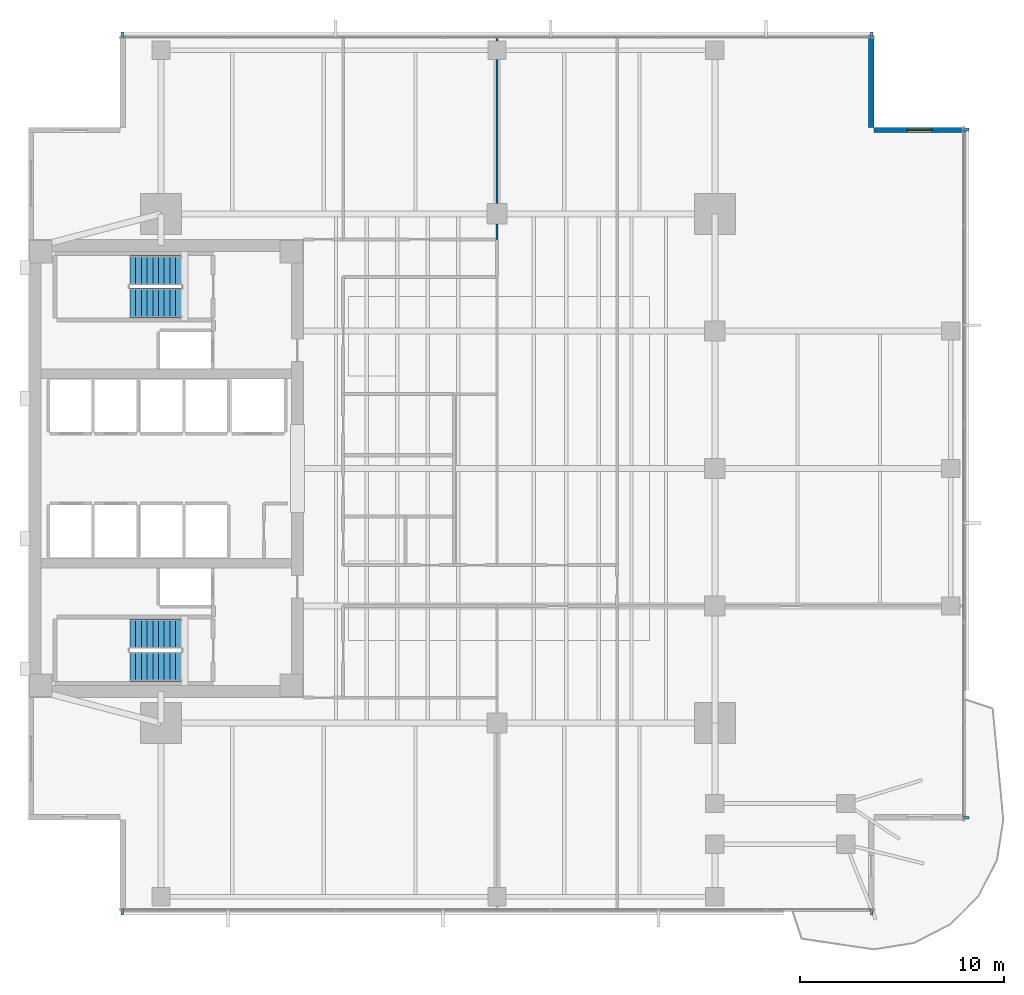
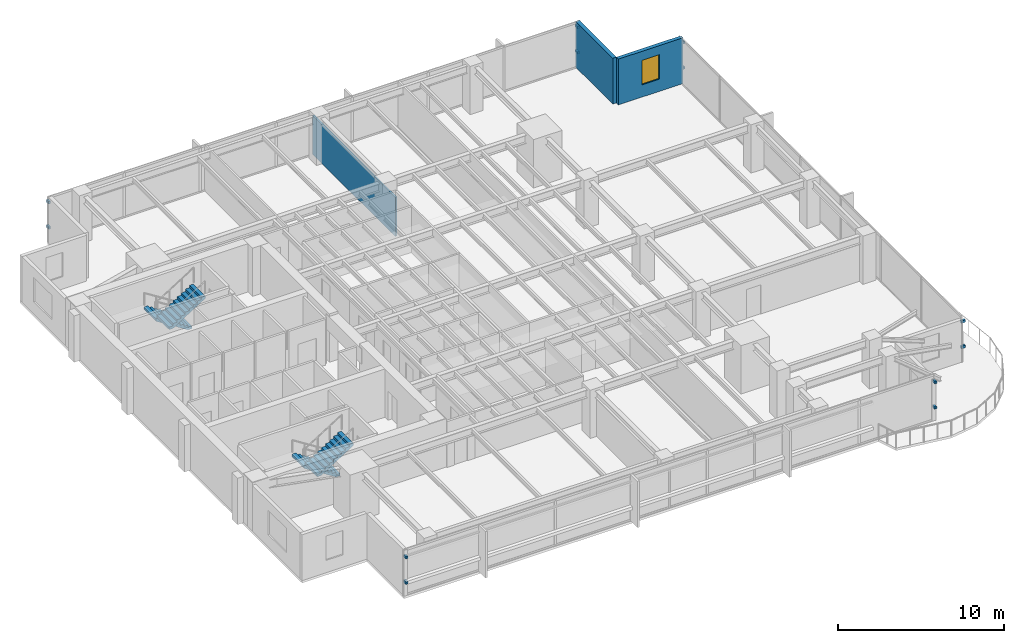
# One storey, part 10 of 14: 12 discrete accessories, 4 stair flights, 3 walls, 1 window, 1 opening, 2 elements without a shape of their own.
"""IFC4 building model written with IfcOpenShell, lengths in metres."""

from ifc_helpers import new_model, si_unit, direction, frame, frame_2d, origin, origin_2d, place, context, subcontext, project, spatial, polyline, rectangle, outline, extrude, material, layer, layer_set, type_object, element, fill, aggregate, save


model = new_model("IFC4")

# Units and contexts
model_context = context("Model", 3, precision=1e-05, world=origin(), true_north=direction((0.0, 1.0)))
body_context = subcontext(model_context, "Body", "Model", "MODEL_VIEW")
ifc_project = project(units=[si_unit("LENGTHUNIT", "METRE"), si_unit("AREAUNIT", "SQUARE_METRE"), si_unit("VOLUMEUNIT", "CUBIC_METRE"), si_unit("PLANEANGLEUNIT", "RADIAN"), si_unit("MASSUNIT", "GRAM", prefix="KILO")], contexts=[model_context])

# Site, building, storey
site_placement = place(None, origin())
site = spatial("IfcSite", under=ifc_project, at=site_placement, CompositionType="ELEMENT")
building_placement = place(site_placement, origin())
building = spatial("IfcBuilding", under=site, at=building_placement, Name="Kinhvarn Gate Tower", CompositionType="ELEMENT")
storey_placement = place(building_placement, frame((0.0, 0.0, 144.85009765625)))
storey = spatial("IfcBuildingStorey", under=building, at=storey_placement, Name="L38", CompositionType="ELEMENT", Elevation=144.85009765625)

# Wall, opening, window
ifc_material_1 = material(Name="Fired architectural terracotta", Category="masonry")
ifc_layer_1 = layer(ifc_material_1, 0.25)
ifc_layer_set_1 = layer_set([ifc_layer_1], Name="Fired architectural terracotta")
wall_type_1 = type_object("IfcWallType", Name="WL-EXT-250", PredefinedType="SOLIDWALL", material=ifc_layer_set_1)
wall_1_placement = place(storey_placement, frame((50.5, 41.875, 0.0), z_axis=(0.0, 0.0, 1.0), x_axis=(-1.0, 0.0, 0.0)))
wall_1 = element("IfcWall", 1, at=wall_1_placement, inside=storey, type_object=wall_type_1, Name="Exterior Solidwall Wall EW-250 (L38 NE-Notch-1)", PredefinedType="SOLIDWALL", context=body_context, shape_type="SweptSolid", body=[
    extrude(rectangle(XDim=4.5, YDim=0.25, at=frame_2d((2.25, 0.0))), origin(), (0.0, 0.0, 1.0), 3.369873046875),
])
opening_placement = place(wall_1_placement, frame((1.64990234375, 0.0, 0.89990234375)))
opening = element("IfcOpeningElement", 2, at=opening_placement, cuts=wall_1, Name="Opening WN-02", PredefinedType="OPENING", context=body_context, shape_type="SweptSolid", body=[
    extrude(rectangle(XDim=1.199951171875, YDim=1.800048828125, at=frame_2d((0.60009765625, 0.89990234375))), frame((0.0, 0.135009765625, 0.0), z_axis=(0.0, -1.0, 0.0), x_axis=(1.0, 0.0, 0.0)), (0.0, 0.0, 1.0), 0.27001953125),
])
ifc_material_2 = material(Name="Clear low-e double glazing", Category="glass")
window_type = type_object("IfcWindowType", Name="WIN-NTC-1200", PartitioningType="SINGLE_PANEL", PredefinedType="WINDOW", material=ifc_material_2)
window_placement = place(opening_placement, origin())
window = element("IfcWindow", 3, at=window_placement, inside=storey, type_object=window_type, Name="Recessed Corner Notch Punched Window 1200x1800 mm (L38)", OverallHeight=1.800048828125, OverallWidth=1.199951171875, PartitioningType="SINGLE_PANEL", PredefinedType="WINDOW", context=body_context, shape_type="SweptSolid", body=[
    extrude(rectangle(XDim=1.199951171875, YDim=1.800048828125, at=frame_2d((0.60009765625, 0.89990234375))), frame((0.0, 0.030029296875, 0.0), z_axis=(0.0, -1.0, 0.0), x_axis=(1.0, 0.0, 0.0)), (0.0, 0.0, 1.0), 0.06005859375),
])
fill(opening, window)

# Walls
wall_2_placement = place(storey_placement, frame((45.875, 42.0, 0.0), z_axis=(0.0, 0.0, 1.0), x_axis=(0.0, 1.0, 0.0)))
element("IfcWall", 4, at=wall_2_placement, inside=storey, type_object=wall_type_1, Name="Exterior Solidwall Wall EW-250 (L38 NE-Notch-2)", PredefinedType="SOLIDWALL", context=body_context, shape_type="SweptSolid", body=[
    extrude(rectangle(XDim=4.5, YDim=0.25, at=frame_2d((2.25, 0.0))), origin(), (0.0, 0.0, 1.0), 3.369873046875),
])
ifc_material_3 = material(Name="Gypsum acoustic partition board")
ifc_layer_2 = layer(ifc_material_3, 0.1201171875)
ifc_layer_set_2 = layer_set([ifc_layer_2], Name="Gypsum acoustic partition board")
wall_type_2 = type_object("IfcWallType", Name="WL-PRT-120", PredefinedType="PARTITIONING", material=ifc_layer_set_2)
wall_3_placement = place(storey_placement, frame((27.5, 36.5, 0.0), z_axis=(0.0, 0.0, 1.0), x_axis=(0.0, 1.0, 0.0)))
element("IfcWall", 5, at=wall_3_placement, inside=storey, type_object=wall_type_2, Name="Interior Partition PW-120 (L38)", PredefinedType="PARTITIONING", context=body_context, shape_type="SweptSolid", body=[
    extrude(rectangle(XDim=9.989990234375, YDim=0.1201171875, at=frame_2d((4.9951171875, 0.0))), origin(), (0.0, 0.0, 1.0), 2.869873046875),
])

# Stair, stair flights
ifc_material_4 = material(Name="Concrete C40/50", Category="concrete")
stair_type = type_object("IfcStairType", Name="STR-DLG-178", PredefinedType="HALF_TURN_STAIR", material=ifc_material_4)
stair_1_placement = place(storey_placement, origin())
stair_1 = element("IfcStair", 6, at=stair_1_placement, inside=storey, type_object=stair_type, Name="L38 Core Smokeproof Exit Stair ST1", PredefinedType="HALF_TURN_STAIR")
stair_flight_type = type_object("IfcStairFlightType", Name="STF-DLG-178", PredefinedType="STRAIGHT", material=ifc_material_4)
stair_flight_1_placement = place(storey_placement, frame((12.0, 17.125, 0.0), z_axis=(0.0, 0.0, 1.0), x_axis=(-1.0, 0.0, 0.0)))
stair_flight_1 = element("IfcStairFlight", 7, at=stair_flight_1_placement, type_object=stair_flight_type, Name="ST1 flight 1", NumberOfRisers=10, NumberOfTreads=9, PredefinedType="STRAIGHT", RiserHeight=0.1775, TreadLength=0.28, context=body_context, shape_type="SweptSolid", body=[
    extrude(outline(polyline([(0.0, 0.0), (0.0, 0.177490234375), (0.280029296875, 0.177490234375), (0.280029296875, 0.35498046875), (0.56005859375, 0.35498046875), (0.56005859375, 0.532470703125), (0.840087890625, 0.532470703125), (0.840087890625, 0.7099609375), (1.1201171875, 0.7099609375), (1.1201171875, 0.887451171875), (1.39990234375, 0.887451171875), (1.39990234375, 1.06494140625), (1.679931640625, 1.06494140625), (1.679931640625, 1.242431640625), (1.9599609375, 1.242431640625), (1.9599609375, 1.419921875), (2.239990234375, 1.419921875), (2.239990234375, 1.597412109375), (2.52001953125, 1.597412109375), (2.52001953125, 1.77490234375), (2.52001953125, 1.419921875), (0.280029296875, 0.0), (0.0, 0.0)])), frame((0.0, 0.72509765625, 0.0), z_axis=(0.0, -1.0, 0.0), x_axis=(1.0, 0.0, 0.0)), (0.0, 0.0, 1.0), 1.449951171875),
])
stair_flight_2_placement = place(storey_placement, frame((9.47998046875, 15.52490234375, 1.77490234375), z_axis=(0.0, 0.0, 1.0), x_axis=(1.0, 0.0, 0.0)))
stair_flight_2 = element("IfcStairFlight", 8, at=stair_flight_2_placement, type_object=stair_flight_type, Name="ST1 flight 2", NumberOfRisers=10, NumberOfTreads=9, PredefinedType="STRAIGHT", RiserHeight=0.1775, TreadLength=0.28, context=body_context, shape_type="SweptSolid", body=[
    extrude(outline(polyline([(0.0, 0.0), (0.0, 0.177490234375), (0.280029296875, 0.177490234375), (0.280029296875, 0.35498046875), (0.56005859375, 0.35498046875), (0.56005859375, 0.532470703125), (0.840087890625, 0.532470703125), (0.840087890625, 0.7099609375), (1.1201171875, 0.7099609375), (1.1201171875, 0.887451171875), (1.39990234375, 0.887451171875), (1.39990234375, 1.06494140625), (1.679931640625, 1.06494140625), (1.679931640625, 1.242431640625), (1.9599609375, 1.242431640625), (1.9599609375, 1.419921875), (2.239990234375, 1.419921875), (2.239990234375, 1.597412109375), (2.52001953125, 1.597412109375), (2.52001953125, 1.77490234375), (2.52001953125, 1.419921875), (0.280029296875, 0.0), (0.0, 0.0)])), frame((0.0, 0.72509765625, 0.0), z_axis=(0.0, -1.0, 0.0), x_axis=(1.0, 0.0, 0.0)), (0.0, 0.0, 1.0), 1.449951171875),
])
aggregate(stair_1, [stair_flight_1, stair_flight_2])

stair_2_placement = place(storey_placement, origin())
stair_2 = element("IfcStair", 9, at=stair_2_placement, inside=storey, type_object=stair_type, Name="L38 Core Smokeproof Exit Stair ST2", PredefinedType="HALF_TURN_STAIR")
stair_flight_3_placement = place(storey_placement, frame((12.0, 34.97509765625, 0.0), z_axis=(0.0, 0.0, 1.0), x_axis=(-1.0, 0.0, 0.0)))
stair_flight_3 = element("IfcStairFlight", 10, at=stair_flight_3_placement, type_object=stair_flight_type, Name="ST2 flight 1", NumberOfRisers=10, NumberOfTreads=9, PredefinedType="STRAIGHT", RiserHeight=0.1775, TreadLength=0.28, context=body_context, shape_type="SweptSolid", body=[
    extrude(outline(polyline([(0.0, 0.0), (0.0, 0.177490234375), (0.280029296875, 0.177490234375), (0.280029296875, 0.35498046875), (0.56005859375, 0.35498046875), (0.56005859375, 0.532470703125), (0.840087890625, 0.532470703125), (0.840087890625, 0.7099609375), (1.1201171875, 0.7099609375), (1.1201171875, 0.887451171875), (1.39990234375, 0.887451171875), (1.39990234375, 1.06494140625), (1.679931640625, 1.06494140625), (1.679931640625, 1.242431640625), (1.9599609375, 1.242431640625), (1.9599609375, 1.419921875), (2.239990234375, 1.419921875), (2.239990234375, 1.597412109375), (2.52001953125, 1.597412109375), (2.52001953125, 1.77490234375), (2.52001953125, 1.419921875), (0.280029296875, 0.0), (0.0, 0.0)])), frame((0.0, 0.72509765625, 0.0), z_axis=(0.0, -1.0, 0.0), x_axis=(1.0, 0.0, 0.0)), (0.0, 0.0, 1.0), 1.449951171875),
])
stair_flight_4_placement = place(storey_placement, frame((9.47998046875, 33.375, 1.77490234375), z_axis=(0.0, 0.0, 1.0), x_axis=(1.0, 0.0, 0.0)))
stair_flight_4 = element("IfcStairFlight", 11, at=stair_flight_4_placement, type_object=stair_flight_type, Name="ST2 flight 2", NumberOfRisers=10, NumberOfTreads=9, PredefinedType="STRAIGHT", RiserHeight=0.1775, TreadLength=0.28, context=body_context, shape_type="SweptSolid", body=[
    extrude(outline(polyline([(0.0, 0.0), (0.0, 0.177490234375), (0.280029296875, 0.177490234375), (0.280029296875, 0.35498046875), (0.56005859375, 0.35498046875), (0.56005859375, 0.532470703125), (0.840087890625, 0.532470703125), (0.840087890625, 0.7099609375), (1.1201171875, 0.7099609375), (1.1201171875, 0.887451171875), (1.39990234375, 0.887451171875), (1.39990234375, 1.06494140625), (1.679931640625, 1.06494140625), (1.679931640625, 1.242431640625), (1.9599609375, 1.242431640625), (1.9599609375, 1.419921875), (2.239990234375, 1.419921875), (2.239990234375, 1.597412109375), (2.52001953125, 1.597412109375), (2.52001953125, 1.77490234375), (2.52001953125, 1.419921875), (0.280029296875, 0.0), (0.0, 0.0)])), frame((0.0, 0.72509765625, 0.0), z_axis=(0.0, -1.0, 0.0), x_axis=(1.0, 0.0, 0.0)), (0.0, 0.0, 1.0), 1.449951171875),
])
aggregate(stair_2, [stair_flight_3, stair_flight_4])

# Discrete accessories
ifc_material_5 = material(Name="Anodised aluminium AW-6063", Category="aluminium")
discrete_accessory_type = type_object("IfcDiscreteAccessoryType", Name="ACC-BRK-01", PredefinedType="BRACKET", material=ifc_material_5)
for number, where, z_axis, x_axis, name in (
    (12, (9.10009765625, 3.469970703125, 0.9599609375), (0.0, 0.0, 1.0), (1.0, 0.0, 0.0), "Baguette Support Bracket BK-01 (L38)"),
    (13, (9.10009765625, 3.469970703125, 2.830078125), (0.0, 0.0, 1.0), (1.0, 0.0, 0.0), "Baguette Support Bracket BK-01 (L38)"),
    (14, (45.89990234375, 3.469970703125, 0.9599609375), (0.0, 0.0, 1.0), (1.0, 0.0, 0.0), "Baguette Support Bracket BK-01 (L38)"),
    (15, (45.89990234375, 3.469970703125, 2.830078125), (0.0, 0.0, 1.0), (1.0, 0.0, 0.0), "Baguette Support Bracket BK-01 (L38)"),
    (16, (45.89990234375, 46.530029296875, 0.9599609375), (0.0, 0.0, 1.0), (-1.0, 0.0, 0.0), "Baguette Support Bracket BK-01 (L38)"),
    (17, (45.89990234375, 46.530029296875, 2.830078125), (0.0, 0.0, 1.0), (-1.0, 0.0, 0.0), "Baguette Support Bracket BK-01 (L38)"),
    (18, (9.10009765625, 46.530029296875, 0.9599609375), (0.0, 0.0, 1.0), (-1.0, 0.0, 0.0), "Baguette Support Bracket BK-01 (L38)"),
    (19, (9.10009765625, 46.530029296875, 2.830078125), (0.0, 0.0, 1.0), (-1.0, 0.0, 0.0), "Baguette Support Bracket BK-01 (L38)"),
    (20, (50.530029296875, 8.10009765625, 0.9599609375), (0.0, 0.0, 1.0), (0.0, 1.0, 0.0), "Baguette Support Bracket BK-01 (L38)"),
    (21, (50.530029296875, 8.10009765625, 2.830078125), (0.0, 0.0, 1.0), (0.0, 1.0, 0.0), "Baguette Support Bracket BK-01 (L38)"),
    (22, (50.530029296875, 41.89990234375, 0.9599609375), (0.0, 0.0, 1.0), (0.0, 1.0, 0.0), "Baguette Support Bracket BK-01 (L38)"),
    (23, (50.530029296875, 41.89990234375, 2.830078125), (0.0, 0.0, 1.0), (0.0, 1.0, 0.0), "Baguette Support Bracket BK-01 (L38)"),
):
    element("IfcDiscreteAccessory", number, at=place(storey_placement, frame(where, z_axis=z_axis, x_axis=x_axis)), inside=storey, type_object=discrete_accessory_type, Name=name, PredefinedType="BRACKET", context=body_context, shape_type="SweptSolid", body=[
        extrude(rectangle(XDim=0.139892578125, YDim=0.280029296875, at=origin_2d()), origin(), (0.0, 0.0, 1.0), 0.179931640625),
    ])

save(model, "model.ifc")
